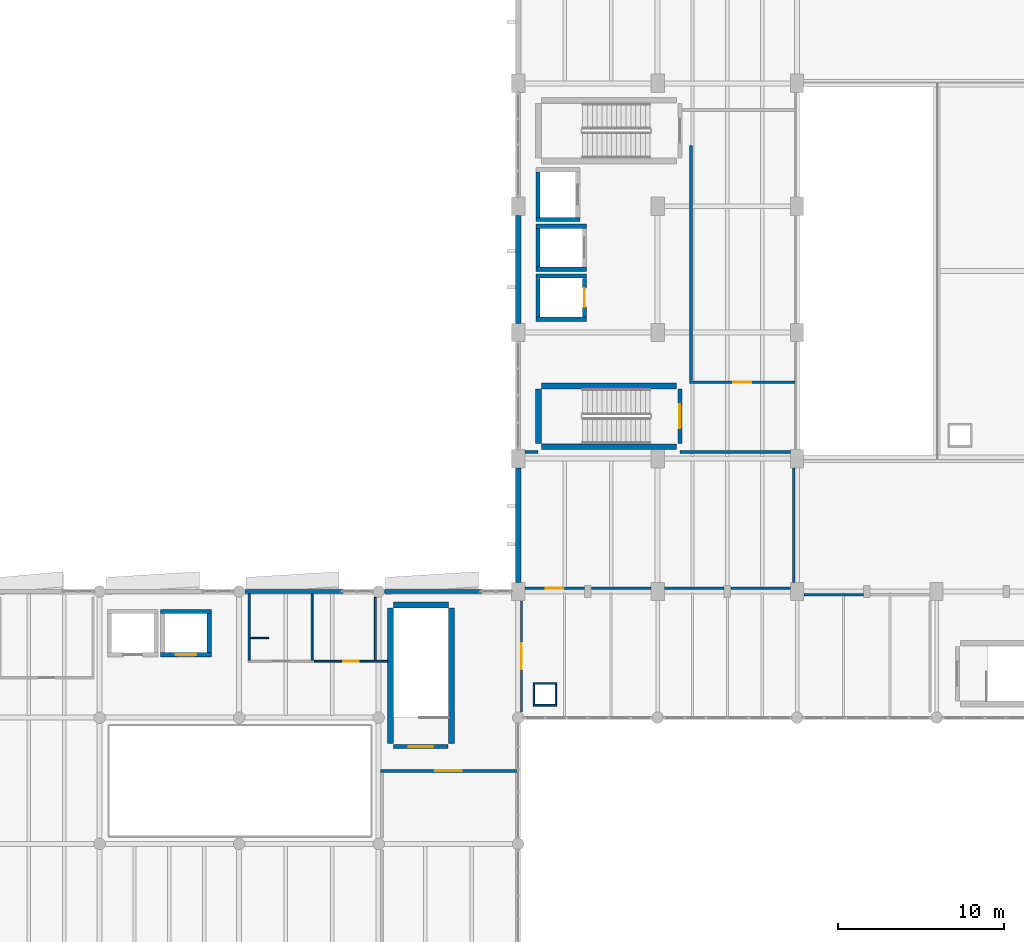
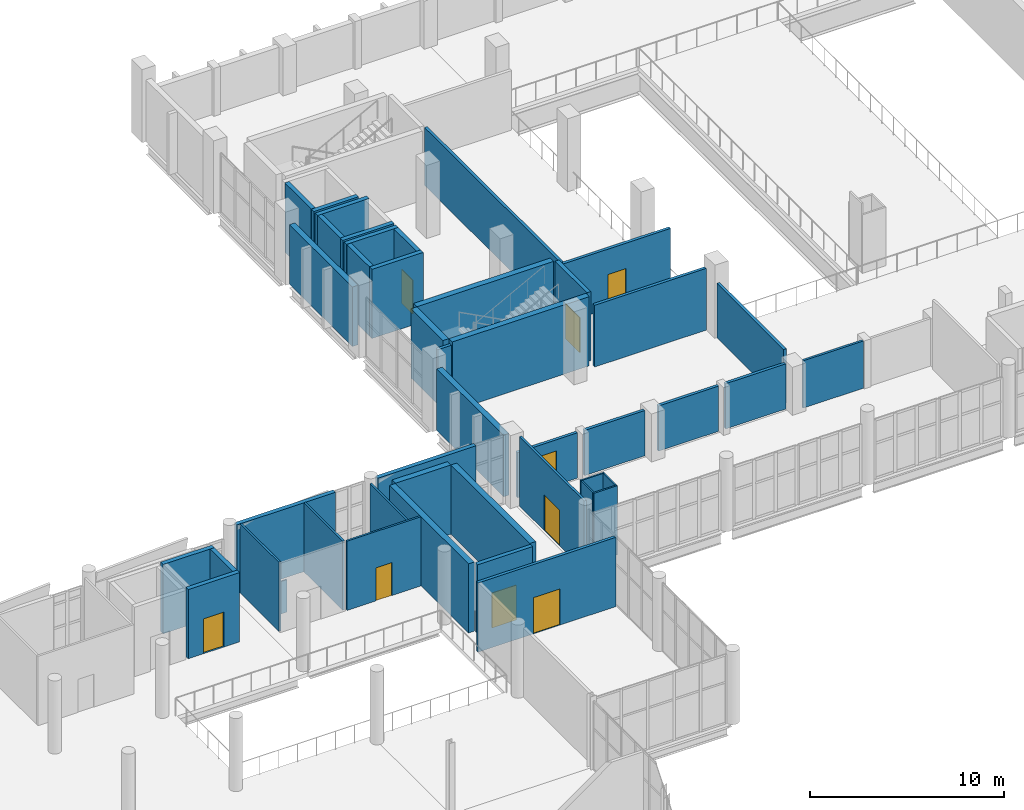
# One storey, part 60 of 74: 45 walls, 9 doors, 9 openings.
"""IFC4 building model written with IfcOpenShell, lengths in metres."""

from ifc_helpers import new_model, si_unit, direction, frame, frame_2d, origin, place, context, subcontext, project, spatial, rectangle, extrude, material, layer, layer_set, type_object, element, fill, save


model = new_model("IFC4")

# Units and contexts
model_context = context("Model", 3, precision=1e-05, world=origin(), true_north=direction((0.0, 1.0)))
body_context = subcontext(model_context, "Body", "Model", "MODEL_VIEW")
ifc_project = project(units=[si_unit("LENGTHUNIT", "METRE"), si_unit("AREAUNIT", "SQUARE_METRE"), si_unit("VOLUMEUNIT", "CUBIC_METRE"), si_unit("PLANEANGLEUNIT", "RADIAN"), si_unit("MASSUNIT", "GRAM", prefix="KILO")], contexts=[model_context])

# Site, building, storey
site_placement = place(None, origin())
site = spatial("IfcSite", under=ifc_project, at=site_placement, CompositionType="ELEMENT")
building_placement = place(site_placement, origin())
building = spatial("IfcBuilding", under=site, at=building_placement, Name="Shengluoqiao Park Theatre", CompositionType="ELEMENT")
storey_placement = place(building_placement, frame((0.0, 0.0, 14.60009765625)))
storey = spatial("IfcBuildingStorey", under=building, at=storey_placement, Name="L03", CompositionType="ELEMENT", Elevation=14.60009765625)

# Walls
ifc_material_1 = material(Name="Concrete C45", Category="concrete")
ifc_layer_1 = layer(ifc_material_1, 0.330078125, Name="Concrete C45")
ifc_layer_set_1 = layer_set([ifc_layer_1], Name="Concrete C45")
wall_type_1 = type_object("IfcWallType", Name="ENV-WL-CONC330", PredefinedType="STANDARD", material=ifc_layer_set_1)
wall_1_placement = place(storey_placement, frame((44.39990234375, 76.553955078125, 0.0), z_axis=(0.0, 0.0, 1.0), x_axis=(0.0, 1.0, 0.0)))
element("IfcWall", 1, at=wall_1_placement, inside=storey, type_object=wall_type_1, Name="L03 Exterior Wall 0050", PredefinedType="STANDARD", context=body_context, shape_type="SweptSolid", body=[
    extrude(rectangle(XDim=6.89208984375, YDim=0.330078125, at=frame_2d((3.446044921875, 0.0))), origin(), (0.0, 0.0, 1.0), 3.8779296875),
])
wall_2_placement = place(storey_placement, frame((44.39990234375, 92.154052734375, 0.0), z_axis=(0.0, 0.0, 1.0), x_axis=(0.0, 1.0, 0.0)))
element("IfcWall", 2, at=wall_2_placement, inside=storey, type_object=wall_type_1, Name="L03 Exterior Wall 0051", PredefinedType="STANDARD", context=body_context, shape_type="SweptSolid", body=[
    extrude(rectangle(XDim=6.491943359375, YDim=0.330078125, at=frame_2d((3.24609375, 0.0))), origin(), (0.0, 0.0, 1.0), 3.75),
])
ifc_material_2 = material(Name="Precast concrete C45", Category="concrete")
ifc_layer_2 = layer(ifc_material_2, 0.25, Name="Precast concrete C45")
ifc_layer_set_2 = layer_set([ifc_layer_2], Name="Precast concrete C45")
wall_type_2 = type_object("IfcWallType", Name="ENV-WL-CRYS250", PredefinedType="STANDARD", material=ifc_layer_set_2)
wall_3_placement = place(storey_placement, frame((27.9541015625, 76.0, 0.0), z_axis=(0.0, 0.0, 1.0), x_axis=(1.0, 0.0, 0.0)))
element("IfcWall", 3, at=wall_3_placement, inside=storey, type_object=wall_type_2, Name="L03 Exterior Wall 0129", PredefinedType="STANDARD", context=body_context, shape_type="SweptSolid", body=[
    extrude(rectangle(XDim=5.891845703125, YDim=0.25, at=frame_2d((2.94580078125, 0.0))), origin(), (0.0, 0.0, 1.0), 4.33984375),
])
wall_4_placement = place(storey_placement, frame((36.35400390625, 76.0, 0.0), z_axis=(0.0, 0.0, 1.0), x_axis=(1.0, 0.0, 0.0)))
element("IfcWall", 4, at=wall_4_placement, inside=storey, type_object=wall_type_2, Name="L03 Exterior Wall 0130", PredefinedType="STANDARD", context=body_context, shape_type="SweptSolid", body=[
    extrude(rectangle(XDim=5.842041015625, YDim=0.25, at=frame_2d((2.9208984375, 0.0))), origin(), (0.0, 0.0, 1.0), 4.33984375),
])

# Wall, opening, door
ifc_material_3 = material(Name="Gypsum acoustic stud", Category="gypsum")
ifc_layer_3 = layer(ifc_material_3, 0.175048828125, Name="Gypsum acoustic stud")
ifc_layer_set_3 = layer_set([ifc_layer_3], Name="Gypsum acoustic stud")
wall_type_3 = type_object("IfcWallType", Name="INT-WL-COR175", PredefinedType="PARTITIONING", material=ifc_layer_set_3)
wall_5_placement = place(storey_placement, frame((54.71240234375, 88.60009765625, 0.0), z_axis=(0.0, 0.0, 1.0), x_axis=(1.0, 0.0, 0.0)))
wall_5 = element("IfcWall", 5, at=wall_5_placement, inside=storey, type_object=wall_type_3, Name="Auditorium Lighting and Projection Suite Partition S", PredefinedType="PARTITIONING", context=body_context, shape_type="SweptSolid", body=[
    extrude(rectangle(XDim=6.375, YDim=0.175048828125, at=frame_2d((3.1875, 0.0))), origin(), (0.0, 0.0, 1.0), 3.75),
])
opening_1_placement = place(wall_5_placement, frame((2.657470703125, 0.0, 0.0)))
opening_1 = element("IfcOpeningElement", 6, at=opening_1_placement, cuts=wall_5, Name="Opening D-L03-083", PredefinedType="OPENING", context=body_context, shape_type="SweptSolid", body=[
    extrude(rectangle(XDim=1.06005859375, YDim=2.14990234375, at=frame_2d((0.530029296875, 1.074951171875))), frame((0.0, 0.097412109375, 0.0), z_axis=(0.0, -1.0, 0.0), x_axis=(1.0, 0.0, 0.0)), (0.0, 0.0, 1.0), 0.195068359375),
])
ifc_material_4 = material(Name="Acoustic timber", Category="wood")
door_type_1 = type_object("IfcDoorType", Name="INT-DR-SNG106", OperationType="NOTDEFINED", PredefinedType="DOOR", material=ifc_material_4)
door_1_placement = place(opening_1_placement, origin())
door_1 = element("IfcDoor", 7, at=door_1_placement, inside=storey, type_object=door_type_1, Name="Auditorium Lighting and Projection Suite Door D-L03-083", OperationType="SINGLE_SWING_LEFT", OverallHeight=2.14990234375, OverallWidth=1.06005859375, PredefinedType="DOOR", context=body_context, shape_type="SweptSolid", body=[
    extrude(rectangle(XDim=1.06005859375, YDim=2.14990234375, at=frame_2d((0.530029296875, 1.074951171875))), frame((0.0, 0.02490234375, 0.0), z_axis=(0.0, -1.0, 0.0), x_axis=(1.0, 0.0, 0.0)), (0.0, 0.0, 1.0), 0.050048828125),
])
fill(opening_1, door_1)

# Wall
wall_6_placement = place(storey_placement, frame((54.800048828125, 88.693603515625, 0.0), z_axis=(0.0, 0.0, 1.0), x_axis=(0.0, 1.0, 0.0)))
element("IfcWall", 8, at=wall_6_placement, inside=storey, type_object=wall_type_3, Name="Auditorium Lighting and Projection Suite Partition W", PredefinedType="PARTITIONING", context=body_context, shape_type="SweptSolid", body=[
    extrude(rectangle(XDim=14.17138671875, YDim=0.175048828125, at=frame_2d((7.085693359375, 0.0))), origin(), (0.0, 0.0, 1.0), 3.637939453125),
])

# Wall, opening, door
wall_7_placement = place(storey_placement, frame((44.80810546875, 76.199951171875, 0.0), z_axis=(0.0, 0.0, 1.0), x_axis=(1.0, 0.0, 0.0)))
wall_7 = element("IfcWall", 9, at=wall_7_placement, inside=storey, type_object=wall_type_3, Name="Auditorium Broadcast and Dubbing Suite Partition S", PredefinedType="PARTITIONING", context=body_context, shape_type="SweptSolid", body=[
    extrude(rectangle(XDim=3.5859375, YDim=0.175048828125, at=frame_2d((1.79296875, 0.0))), origin(), (0.0, 0.0, 1.0), 2.847900390625),
])
opening_2_placement = place(wall_7_placement, frame((1.262939453125, 0.0, 0.0)))
opening_2 = element("IfcOpeningElement", 10, at=opening_2_placement, cuts=wall_7, Name="Opening D-L03-084", PredefinedType="OPENING", context=body_context, shape_type="SweptSolid", body=[
    extrude(rectangle(XDim=1.06005859375, YDim=2.14990234375, at=frame_2d((0.530029296875, 1.074951171875))), frame((0.0, 0.097412109375, 0.0), z_axis=(0.0, -1.0, 0.0), x_axis=(1.0, 0.0, 0.0)), (0.0, 0.0, 1.0), 0.195068359375),
])
door_2_placement = place(opening_2_placement, origin())
door_2 = element("IfcDoor", 11, at=door_2_placement, inside=storey, type_object=door_type_1, Name="Auditorium Broadcast and Dubbing Suite Door D-L03-084", OperationType="SINGLE_SWING_RIGHT", OverallHeight=2.14990234375, OverallWidth=1.06005859375, PredefinedType="DOOR", context=body_context, shape_type="SweptSolid", body=[
    extrude(rectangle(XDim=1.06005859375, YDim=2.14990234375, at=frame_2d((0.530029296875, 1.074951171875))), frame((0.0, 0.02490234375, 0.0), z_axis=(0.0, -1.0, 0.0), x_axis=(1.0, 0.0, 0.0)), (0.0, 0.0, 1.0), 0.050048828125),
])
fill(opening_2, door_2)

# Walls
wall_8_placement = place(storey_placement, frame((48.805908203125, 76.199951171875, 0.0), z_axis=(0.0, 0.0, 1.0), x_axis=(1.0, 0.0, 0.0)))
element("IfcWall", 12, at=wall_8_placement, inside=storey, type_object=wall_type_3, Name="Auditorium Broadcast and Dubbing Suite Partition S", PredefinedType="PARTITIONING", context=body_context, shape_type="SweptSolid", body=[
    extrude(rectangle(XDim=3.588134765625, YDim=0.175048828125, at=frame_2d((1.7939453125, 0.0))), origin(), (0.0, 0.0, 1.0), 2.847900390625),
])
wall_9_placement = place(storey_placement, frame((53.2060546875, 76.199951171875, 0.0), z_axis=(0.0, 0.0, 1.0), x_axis=(1.0, 0.0, 0.0)))
element("IfcWall", 13, at=wall_9_placement, inside=storey, type_object=wall_type_3, Name="Auditorium Broadcast and Dubbing Suite Partition S", PredefinedType="PARTITIONING", context=body_context, shape_type="SweptSolid", body=[
    extrude(rectangle(XDim=3.587890625, YDim=0.175048828125, at=frame_2d((1.7939453125, 0.0))), origin(), (0.0, 0.0, 1.0), 2.847900390625),
])
wall_10_placement = place(storey_placement, frame((44.80810546875, 84.39990234375, 0.0), z_axis=(0.0, 0.0, 1.0), x_axis=(1.0, 0.0, 0.0)))
element("IfcWall", 14, at=wall_10_placement, inside=storey, type_object=wall_type_3, Name="Auditorium Broadcast and Dubbing Suite Partition N", PredefinedType="PARTITIONING", context=body_context, shape_type="SweptSolid", body=[
    extrude(rectangle(XDim=0.796875, YDim=0.175048828125, at=frame_2d((0.3984375, 0.0))), origin(), (0.0, 0.0, 1.0), 4.35986328125),
])
wall_11_placement = place(storey_placement, frame((57.2060546875, 76.199951171875, 0.0), z_axis=(0.0, 0.0, 1.0), x_axis=(1.0, 0.0, 0.0)))
element("IfcWall", 15, at=wall_11_placement, inside=storey, type_object=wall_type_3, Name="Auditorium Broadcast and Dubbing Suite Partition S", PredefinedType="PARTITIONING", context=body_context, shape_type="SweptSolid", body=[
    extrude(rectangle(XDim=3.5859375, YDim=0.175048828125, at=frame_2d((1.79296875, 0.0))), origin(), (0.0, 0.0, 1.0), 2.847900390625),
])
wall_12_placement = place(storey_placement, frame((54.14501953125, 84.39990234375, 0.0), z_axis=(0.0, 0.0, 1.0), x_axis=(1.0, 0.0, 0.0)))
element("IfcWall", 16, at=wall_12_placement, inside=storey, type_object=wall_type_3, Name="Auditorium Broadcast and Dubbing Suite Partition N", PredefinedType="PARTITIONING", context=body_context, shape_type="SweptSolid", body=[
    extrude(rectangle(XDim=6.64697265625, YDim=0.175048828125, at=frame_2d((3.323486328125, 0.0))), origin(), (0.0, 0.0, 1.0), 3.887939453125),
])
wall_13_placement = place(storey_placement, frame((61.0, 76.555908203125, 0.0), z_axis=(0.0, 0.0, 1.0), x_axis=(0.0, 1.0, 0.0)))
element("IfcWall", 17, at=wall_13_placement, inside=storey, type_object=wall_type_3, Name="Auditorium Broadcast and Dubbing Suite Partition E", PredefinedType="PARTITIONING", context=body_context, shape_type="SweptSolid", body=[
    extrude(rectangle(XDim=6.88818359375, YDim=0.175048828125, at=frame_2d((3.444091796875, 0.0))), origin(), (0.0, 0.0, 1.0), 3.432861328125),
])

# Wall, opening, door
wall_14_placement = place(storey_placement, frame((36.112548828125, 65.199951171875, 0.0), z_axis=(0.0, 0.0, 1.0), x_axis=(1.0, 0.0, 0.0)))
wall_14 = element("IfcWall", 18, at=wall_14_placement, inside=storey, type_object=wall_type_3, Name="Sky Atrium East Reception Salon Partition N", PredefinedType="PARTITIONING", context=body_context, shape_type="SweptSolid", body=[
    extrude(rectangle(XDim=8.199462890625, YDim=0.175048828125, at=frame_2d((4.099609375, 0.0))), origin(), (0.0, 0.0, 1.0), 4.35986328125),
])
opening_3_placement = place(wall_14_placement, frame((3.309814453125, 0.0, 0.0)))
opening_3 = element("IfcOpeningElement", 19, at=opening_3_placement, cuts=wall_14, Name="Opening D-L03-087", PredefinedType="OPENING", context=body_context, shape_type="SweptSolid", body=[
    extrude(rectangle(XDim=1.580078125, YDim=2.280029296875, at=frame_2d((0.7900390625, 1.14013671875))), frame((0.0, 0.097412109375, 0.0), z_axis=(0.0, -1.0, 0.0), x_axis=(1.0, 0.0, 0.0)), (0.0, 0.0, 1.0), 0.195068359375),
])
ifc_material_5 = material(Name="Aluminium 6063-T6", Category="aluminium")
door_type_2 = type_object("IfcDoorType", Name="INT-DR-FOY158", OperationType="DOUBLE_DOOR_SINGLE_SWING", PredefinedType="DOOR", material=ifc_material_5)
door_3_placement = place(opening_3_placement, origin())
door_3 = element("IfcDoor", 20, at=door_3_placement, inside=storey, type_object=door_type_2, Name="Sky Atrium East Reception Salon Door D-L03-087", OperationType="DOUBLE_DOOR_SINGLE_SWING", OverallHeight=2.280029296875, OverallWidth=1.580078125, PredefinedType="DOOR", context=body_context, shape_type="SweptSolid", body=[
    extrude(rectangle(XDim=1.580078125, YDim=2.280029296875, at=frame_2d((0.7900390625, 1.14013671875))), frame((0.0, 0.02490234375, 0.0), z_axis=(0.0, -1.0, 0.0), x_axis=(1.0, 0.0, 0.0)), (0.0, 0.0, 1.0), 0.050048828125),
])
fill(opening_3, door_3)

# Walls
ifc_material_6 = material(Name="Compact laminate")
ifc_layer_4 = layer(ifc_material_6, 0.074951171875, Name="Compact laminate")
ifc_layer_set_4 = layer_set([ifc_layer_4], Name="Compact laminate")
wall_type_4 = type_object("IfcWallType", Name="INT-WL-CUB075", PredefinedType="PARTITIONING", material=ifc_layer_set_4)
wall_15_placement = place(storey_placement, frame((28.27001953125, 73.199951171875, 0.0), z_axis=(0.0, 0.0, 1.0), x_axis=(1.0, 0.0, 0.0)))
element("IfcWall", 21, at=wall_15_placement, inside=storey, type_object=wall_type_4, Name="L03 WC Cubicle Partition 06", PredefinedType="PARTITIONING", context=body_context, shape_type="SweptSolid", body=[
    extrude(rectangle(XDim=1.10009765625, YDim=0.074951171875, at=frame_2d((0.550048828125, 0.0))), origin(), (0.0, 0.0, 1.0), 2.0498046875),
])
ifc_material_7 = material(Name="Gypsum shaftwall", Category="gypsum")
ifc_layer_5 = layer(ifc_material_7, 0.094970703125, Name="Gypsum shaftwall")
ifc_layer_set_5 = layer_set([ifc_layer_5], Name="Gypsum shaftwall")
wall_type_5 = type_object("IfcWallType", Name="INT-WL-RSR095", PredefinedType="PARTITIONING", material=ifc_layer_set_5)
for number, where, z_axis, x_axis, name in (
    (22, (45.304931640625, 69.14990234375, 0.0), (0.0, 0.0, 1.0), (1.0, 0.0, 0.0), "L03 Service Riser Shaftwall 161"),
    (23, (45.304931640625, 70.469970703125, 0.0), (0.0, 0.0, 1.0), (1.0, 0.0, 0.0), "L03 Service Riser Shaftwall 162"),
):
    element("IfcWall", number, at=place(storey_placement, frame(where, z_axis=z_axis, x_axis=x_axis)), inside=storey, type_object=wall_type_5, Name=name, PredefinedType="PARTITIONING", context=body_context, shape_type="SweptSolid", body=[
        extrude(rectangle(XDim=1.41015625, YDim=0.094970703125, at=frame_2d((0.705078125, 0.0))), origin(), (0.0, 0.0, 1.0), 4.35986328125),
    ])
for number, where, z_axis, x_axis, name in (
    (24, (45.35009765625, 69.205078125, 0.0), (0.0, 0.0, 1.0), (0.0, 1.0, 0.0), "L03 Service Riser Shaftwall 163"),
    (25, (46.669921875, 69.205078125, 0.0), (0.0, 0.0, 1.0), (0.0, 1.0, 0.0), "L03 Service Riser Shaftwall 164"),
):
    element("IfcWall", number, at=place(storey_placement, frame(where, z_axis=z_axis, x_axis=x_axis)), inside=storey, type_object=wall_type_5, Name=name, PredefinedType="PARTITIONING", context=body_context, shape_type="SweptSolid", body=[
        extrude(rectangle(XDim=1.2099609375, YDim=0.094970703125, at=frame_2d((0.60498046875, 0.0))), origin(), (0.0, 0.0, 1.0), 4.35986328125),
    ])

# Wall, opening, door
ifc_material_8 = material(Name="Concrete C40", Category="concrete")
ifc_layer_6 = layer(ifc_material_8, 0.260009765625, Name="Concrete C40")
ifc_layer_set_6 = layer_set([ifc_layer_6], Name="Concrete C40")
wall_type_6 = type_object("IfcWallType", Name="INT-WL-SHF260", PredefinedType="STANDARD", material=ifc_layer_set_6)
wall_16_placement = place(storey_placement, frame((22.8701171875, 72.199951171875, 0.0), z_axis=(0.0, 0.0, 1.0), x_axis=(1.0, 0.0, 0.0)))
wall_16 = element("IfcWall", 26, at=wall_16_placement, inside=storey, type_object=wall_type_6, Name="L03 PL2 Lift Shaft Wall South", PredefinedType="STANDARD", context=body_context, shape_type="SweptSolid", body=[
    extrude(rectangle(XDim=3.059814453125, YDim=0.260009765625, at=frame_2d((1.52978515625, 0.0))), origin(), (0.0, 0.0, 1.0), 4.35986328125),
])
opening_4_placement = place(wall_16_placement, frame((0.919921875, 0.0, 0.0)))
opening_4 = element("IfcOpeningElement", 27, at=opening_4_placement, cuts=wall_16, Name="Opening LD-PL2-L03", PredefinedType="OPENING", context=body_context, shape_type="SweptSolid", body=[
    extrude(rectangle(XDim=1.219970703125, YDim=2.199951171875, at=frame_2d((0.60986328125, 1.10009765625))), frame((0.0, 0.139892578125, 0.0), z_axis=(0.0, -1.0, 0.0), x_axis=(1.0, 0.0, 0.0)), (0.0, 0.0, 1.0), 0.280029296875),
])
ifc_material_9 = material(Name="Stainless steel 304", Category="steel")
door_type_3 = type_object("IfcDoorType", Name="INT-DR-LD122", OperationType="SLIDING_TO_RIGHT", PredefinedType="DOOR", material=ifc_material_9)
door_4_placement = place(opening_4_placement, origin())
door_4 = element("IfcDoor", 28, at=door_4_placement, inside=storey, type_object=door_type_3, Name="PL2 Lift Landing Door LD-PL2-L03", OperationType="SLIDING_TO_RIGHT", OverallHeight=2.199951171875, OverallWidth=1.219970703125, PredefinedType="DOOR", context=body_context, shape_type="SweptSolid", body=[
    extrude(rectangle(XDim=1.219970703125, YDim=2.199951171875, at=frame_2d((0.60986328125, 1.10009765625))), frame((0.0, 0.02490234375, 0.0), z_axis=(0.0, -1.0, 0.0), x_axis=(1.0, 0.0, 0.0)), (0.0, 0.0, 1.0), 0.050048828125),
])
fill(opening_4, door_4)

# Walls
wall_17_placement = place(storey_placement, frame((22.8701171875, 74.800048828125, 0.0), z_axis=(0.0, 0.0, 1.0), x_axis=(1.0, 0.0, 0.0)))
element("IfcWall", 29, at=wall_17_placement, inside=storey, type_object=wall_type_6, Name="L03 PL2 Lift Shaft Wall North", PredefinedType="STANDARD", context=body_context, shape_type="SweptSolid", body=[
    extrude(rectangle(XDim=3.059814453125, YDim=0.260009765625, at=frame_2d((1.52978515625, 0.0))), origin(), (0.0, 0.0, 1.0), 4.35986328125),
])
wall_18_placement = place(storey_placement, frame((25.800048828125, 72.3359375, 0.0), z_axis=(0.0, 0.0, 1.0), x_axis=(0.0, 1.0, 0.0)))
element("IfcWall", 30, at=wall_18_placement, inside=storey, type_object=wall_type_6, Name="L03 PL2 Lift Shaft Wall East", PredefinedType="STANDARD", context=body_context, shape_type="SweptSolid", body=[
    extrude(rectangle(XDim=2.328125, YDim=0.260009765625, at=frame_2d((1.1640625, 0.0))), origin(), (0.0, 0.0, 1.0), 4.35986328125),
])
for number, where, z_axis, x_axis, name in (
    (31, (45.469970703125, 92.39990234375, 0.0), (0.0, 0.0, 1.0), (1.0, 0.0, 0.0), "L03 PL3 Lift Shaft Wall South"),
    (32, (45.469970703125, 95.0, 0.0), (0.0, 0.0, 1.0), (1.0, 0.0, 0.0), "L03 PL3 Lift Shaft Wall North"),
):
    element("IfcWall", number, at=place(storey_placement, frame(where, z_axis=z_axis, x_axis=x_axis)), inside=storey, type_object=wall_type_6, Name=name, PredefinedType="STANDARD", context=body_context, shape_type="SweptSolid", body=[
        extrude(rectangle(XDim=3.06005859375, YDim=0.260009765625, at=frame_2d((1.530029296875, 0.0))), origin(), (0.0, 0.0, 1.0), 4.35986328125),
    ])
wall_19_placement = place(storey_placement, frame((45.60009765625, 92.535888671875, 0.0), z_axis=(0.0, 0.0, 1.0), x_axis=(0.0, 1.0, 0.0)))
element("IfcWall", 33, at=wall_19_placement, inside=storey, type_object=wall_type_6, Name="L03 PL3 Lift Shaft Wall West", PredefinedType="STANDARD", context=body_context, shape_type="SweptSolid", body=[
    extrude(rectangle(XDim=2.328125, YDim=0.260009765625, at=frame_2d((1.1640625, 0.0))), origin(), (0.0, 0.0, 1.0), 4.35986328125),
])

# Wall, opening, door
wall_20_placement = place(storey_placement, frame((48.39990234375, 92.535888671875, 0.0), z_axis=(0.0, 0.0, 1.0), x_axis=(0.0, 1.0, 0.0)))
wall_20 = element("IfcWall", 34, at=wall_20_placement, inside=storey, type_object=wall_type_6, Name="L03 PL3 Lift Shaft Wall East", PredefinedType="STANDARD", context=body_context, shape_type="SweptSolid", body=[
    extrude(rectangle(XDim=2.328125, YDim=0.260009765625, at=frame_2d((1.1640625, 0.0))), origin(), (0.0, 0.0, 1.0), 4.35986328125),
])
opening_5_placement = place(wall_20_placement, frame((0.589111328125, 0.0, 0.0)))
opening_5 = element("IfcOpeningElement", 35, at=opening_5_placement, cuts=wall_20, Name="Opening LD-PL3-L03", PredefinedType="OPENING", context=body_context, shape_type="SweptSolid", body=[
    extrude(rectangle(XDim=1.14990234375, YDim=2.14990234375, at=frame_2d((0.574951171875, 1.074951171875))), frame((0.0, 0.139892578125, 0.0), z_axis=(0.0, -1.0, 0.0), x_axis=(1.0, 0.0, 0.0)), (0.0, 0.0, 1.0), 0.280029296875),
])
door_type_4 = type_object("IfcDoorType", Name="INT-DR-LD115", OperationType="SLIDING_TO_LEFT", PredefinedType="DOOR", material=ifc_material_9)
door_5_placement = place(opening_5_placement, origin())
door_5 = element("IfcDoor", 36, at=door_5_placement, inside=storey, type_object=door_type_4, Name="PL3 Lift Landing Door LD-PL3-L03", OperationType="SLIDING_TO_LEFT", OverallHeight=2.14990234375, OverallWidth=1.14990234375, PredefinedType="DOOR", context=body_context, shape_type="SweptSolid", body=[
    extrude(rectangle(XDim=1.14990234375, YDim=2.14990234375, at=frame_2d((0.574951171875, 1.074951171875))), frame((0.0, 0.02490234375, 0.0), z_axis=(0.0, -1.0, 0.0), x_axis=(1.0, 0.0, 0.0)), (0.0, 0.0, 1.0), 0.050048828125),
])
fill(opening_5, door_5)

# Walls
for number, where, z_axis, x_axis, name in (
    (37, (45.469970703125, 95.39990234375, 0.0), (0.0, 0.0, 1.0), (1.0, 0.0, 0.0), "L03 PL4 Lift Shaft Wall South"),
    (38, (45.469970703125, 98.0, 0.0), (0.0, 0.0, 1.0), (1.0, 0.0, 0.0), "L03 PL4 Lift Shaft Wall North"),
):
    element("IfcWall", number, at=place(storey_placement, frame(where, z_axis=z_axis, x_axis=x_axis)), inside=storey, type_object=wall_type_6, Name=name, PredefinedType="STANDARD", context=body_context, shape_type="SweptSolid", body=[
        extrude(rectangle(XDim=3.06005859375, YDim=0.260009765625, at=frame_2d((1.530029296875, 0.0))), origin(), (0.0, 0.0, 1.0), 4.35986328125),
    ])
wall_21_placement = place(storey_placement, frame((45.60009765625, 95.535888671875, 0.0), z_axis=(0.0, 0.0, 1.0), x_axis=(0.0, 1.0, 0.0)))
element("IfcWall", 39, at=wall_21_placement, inside=storey, type_object=wall_type_6, Name="L03 PL4 Lift Shaft Wall West", PredefinedType="STANDARD", context=body_context, shape_type="SweptSolid", body=[
    extrude(rectangle(XDim=2.328125, YDim=0.260009765625, at=frame_2d((1.1640625, 0.0))), origin(), (0.0, 0.0, 1.0), 4.35986328125),
])
wall_22_placement = place(storey_placement, frame((45.469970703125, 98.39990234375, 0.0), z_axis=(0.0, 0.0, 1.0), x_axis=(1.0, 0.0, 0.0)))
element("IfcWall", 40, at=wall_22_placement, inside=storey, type_object=wall_type_6, Name="L03 AL1 Lift Shaft Wall South", PredefinedType="STANDARD", context=body_context, shape_type="SweptSolid", body=[
    extrude(rectangle(XDim=2.659912109375, YDim=0.260009765625, at=frame_2d((1.330078125, 0.0))), origin(), (0.0, 0.0, 1.0), 4.35986328125),
])
wall_23_placement = place(storey_placement, frame((45.60009765625, 98.535888671875, 0.0), z_axis=(0.0, 0.0, 1.0), x_axis=(0.0, 1.0, 0.0)))
element("IfcWall", 41, at=wall_23_placement, inside=storey, type_object=wall_type_6, Name="L03 AL1 Lift Shaft Wall West", PredefinedType="STANDARD", context=body_context, shape_type="SweptSolid", body=[
    extrude(rectangle(XDim=2.72802734375, YDim=0.260009765625, at=frame_2d((1.364013671875, 0.0))), origin(), (0.0, 0.0, 1.0), 4.35986328125),
])
ifc_material_10 = material(Name="Gypsum board", Category="gypsum")
ifc_layer_7 = layer(ifc_material_10, 0.135009765625, Name="Gypsum board")
ifc_layer_set_7 = layer_set([ifc_layer_7], Name="Gypsum board")
wall_type_7 = type_object("IfcWallType", Name="INT-WL-STD135", PredefinedType="PARTITIONING", material=ifc_layer_set_7)
wall_24_placement = place(storey_placement, frame((61.60595703125, 75.800048828125, 0.0), z_axis=(0.0, 0.0, 1.0), x_axis=(1.0, 0.0, 0.0)))
element("IfcWall", 42, at=wall_24_placement, inside=storey, type_object=wall_type_7, Name="Patrons Sky Lounge and Dining Suite Partition N", PredefinedType="PARTITIONING", context=body_context, shape_type="SweptSolid", body=[
    extrude(rectangle(XDim=3.588134765625, YDim=0.135009765625, at=frame_2d((1.7939453125, 0.0))), origin(), (0.0, 0.0, 1.0), 2.977783203125),
])

# Wall, opening, door
wall_25_placement = place(storey_placement, frame((44.60009765625, 68.758056640625, 0.0), z_axis=(0.0, 0.0, 1.0), x_axis=(0.0, 1.0, 0.0)))
wall_25 = element("IfcWall", 43, at=wall_25_placement, inside=storey, type_object=wall_type_7, Name="Patrons Sky Lounge and Dining Suite Partition W", PredefinedType="PARTITIONING", context=body_context, shape_type="SweptSolid", body=[
    extrude(rectangle(XDim=6.68603515625, YDim=0.135009765625, at=frame_2d((3.343017578125, 0.0))), origin(), (0.0, 0.0, 1.0), 4.35986328125),
])
opening_6_placement = place(wall_25_placement, frame((2.56298828125, 0.0, 0.0)))
opening_6 = element("IfcOpeningElement", 44, at=opening_6_placement, cuts=wall_25, Name="Opening D-L03-088", PredefinedType="OPENING", context=body_context, shape_type="SweptSolid", body=[
    extrude(rectangle(XDim=1.56005859375, YDim=2.239990234375, at=frame_2d((0.780029296875, 1.1201171875))), frame((0.0, 0.077392578125, 0.0), z_axis=(0.0, -1.0, 0.0), x_axis=(1.0, 0.0, 0.0)), (0.0, 0.0, 1.0), 0.155029296875),
])
door_type_5 = type_object("IfcDoorType", Name="INT-DR-DIN156", OperationType="DOUBLE_DOOR_SINGLE_SWING", PredefinedType="DOOR", material=ifc_material_5)
door_6_placement = place(opening_6_placement, origin())
door_6 = element("IfcDoor", 45, at=door_6_placement, inside=storey, type_object=door_type_5, Name="Patrons Sky Lounge and Dining Suite Door D-L03-088", OperationType="DOUBLE_DOOR_SINGLE_SWING", OverallHeight=2.239990234375, OverallWidth=1.56005859375, PredefinedType="DOOR", context=body_context, shape_type="SweptSolid", body=[
    extrude(rectangle(XDim=1.56005859375, YDim=2.239990234375, at=frame_2d((0.780029296875, 1.1201171875))), frame((0.0, 0.02490234375, 0.0), z_axis=(0.0, -1.0, 0.0), x_axis=(1.0, 0.0, 0.0)), (0.0, 0.0, 1.0), 0.050048828125),
])
fill(opening_6, door_6)

ifc_layer_8 = layer(ifc_material_8, 0.239990234375, Name="Concrete C40")
ifc_layer_set_8 = layer_set([ifc_layer_8], Name="Concrete C40")
wall_type_8 = type_object("IfcWallType", Name="INT-WL-STW240", PredefinedType="STANDARD", material=ifc_layer_set_8)
wall_26_placement = place(storey_placement, frame((40.18994140625, 66.659912109375, 0.0), z_axis=(0.0, 0.0, 1.0), x_axis=(-1.0, 0.0, 0.0)))
wall_26 = element("IfcWall", 46, at=wall_26_placement, inside=storey, type_object=wall_type_8, Name="L03 ST-01 Stairwell Fire Wall", PredefinedType="STANDARD", context=body_context, shape_type="SweptSolid", body=[
    extrude(rectangle(XDim=3.280029296875, YDim=0.239990234375, at=frame_2d((1.64013671875, 0.0))), origin(), (0.0, 0.0, 1.0), 4.35986328125),
])
opening_7_placement = place(wall_26_placement, frame((0.9150390625, 0.0, 0.0)))
opening_7 = element("IfcOpeningElement", 47, at=opening_7_placement, cuts=wall_26, Name="Opening SD-01-L03", PredefinedType="OPENING", context=body_context, shape_type="SweptSolid", body=[
    extrude(rectangle(XDim=1.449951171875, YDim=2.199951171875, at=frame_2d((0.72509765625, 1.10009765625))), frame((0.0, 0.1298828125, 0.0), z_axis=(0.0, -1.0, 0.0), x_axis=(1.0, 0.0, 0.0)), (0.0, 0.0, 1.0), 0.260009765625),
])
ifc_material_11 = material(Name="Steel Q355", Category="steel")
door_type_6 = type_object("IfcDoorType", Name="INT-DR-STW145", OperationType="DOUBLE_DOOR_SINGLE_SWING", PredefinedType="DOOR", material=ifc_material_11)
door_7_placement = place(opening_7_placement, origin())
door_7 = element("IfcDoor", 48, at=door_7_placement, inside=storey, type_object=door_type_6, Name="L03 ST-01 Escape Stair Door SD-01-L03", OperationType="DOUBLE_DOOR_SINGLE_SWING", OverallHeight=2.199951171875, OverallWidth=1.449951171875, PredefinedType="DOOR", context=body_context, shape_type="SweptSolid", body=[
    extrude(rectangle(XDim=1.449951171875, YDim=2.199951171875, at=frame_2d((0.72509765625, 1.10009765625))), frame((0.0, 0.02490234375, 0.0), z_axis=(0.0, -1.0, 0.0), x_axis=(1.0, 0.0, 0.0)), (0.0, 0.0, 1.0), 0.050048828125),
])
fill(opening_7, door_7)

wall_27_placement = place(storey_placement, frame((54.139892578125, 88.18994140625, 0.0), z_axis=(0.0, 0.0, 1.0), x_axis=(0.0, -1.0, 0.0)))
wall_27 = element("IfcWall", 49, at=wall_27_placement, inside=storey, type_object=wall_type_8, Name="L03 ST-02 Stairwell Fire Wall", PredefinedType="STANDARD", context=body_context, shape_type="SweptSolid", body=[
    extrude(rectangle(XDim=3.280029296875, YDim=0.239990234375, at=frame_2d((1.64013671875, 0.0))), origin(), (0.0, 0.0, 1.0), 4.35986328125),
])
opening_8_placement = place(wall_27_placement, frame((0.9150390625, 0.0, 0.0)))
opening_8 = element("IfcOpeningElement", 50, at=opening_8_placement, cuts=wall_27, Name="Opening SD-02-L03", PredefinedType="OPENING", context=body_context, shape_type="SweptSolid", body=[
    extrude(rectangle(XDim=1.449951171875, YDim=2.199951171875, at=frame_2d((0.72509765625, 1.10009765625))), frame((0.0, 0.1298828125, 0.0), z_axis=(0.0, -1.0, 0.0), x_axis=(1.0, 0.0, 0.0)), (0.0, 0.0, 1.0), 0.260009765625),
])
door_8_placement = place(opening_8_placement, origin())
door_8 = element("IfcDoor", 51, at=door_8_placement, inside=storey, type_object=door_type_6, Name="L03 ST-02 Escape Stair Door SD-02-L03", OperationType="DOUBLE_DOOR_SINGLE_SWING", OverallHeight=2.199951171875, OverallWidth=1.449951171875, PredefinedType="DOOR", context=body_context, shape_type="SweptSolid", body=[
    extrude(rectangle(XDim=1.449951171875, YDim=2.199951171875, at=frame_2d((0.72509765625, 1.10009765625))), frame((0.0, 0.02490234375, 0.0), z_axis=(0.0, -1.0, 0.0), x_axis=(1.0, 0.0, 0.0)), (0.0, 0.0, 1.0), 0.050048828125),
])
fill(opening_8, door_8)

# Walls
ifc_material_12 = material(Name="Moisture-resistant board")
ifc_layer_9 = layer(ifc_material_12, 0.114990234375, Name="Moisture-resistant board")
ifc_layer_set_9 = layer_set([ifc_layer_9], Name="Moisture-resistant board")
wall_type_9 = type_object("IfcWallType", Name="INT-WL-WCP115", PredefinedType="PARTITIONING", material=ifc_layer_set_9)
for number, where, z_axis, x_axis, name in (
    (52, (28.199951171875, 71.863525390625, 0.0), (0.0, 0.0, 1.0), (0.0, 1.0, 0.0), "Third Floor Public Male WC Partition W"),
    (53, (32.0, 71.863525390625, 0.0), (0.0, 0.0, 1.0), (0.0, 1.0, 0.0), "Third Floor Public Male WC Partition E"),
):
    element("IfcWall", number, at=place(storey_placement, frame(where, z_axis=z_axis, x_axis=x_axis)), inside=storey, type_object=wall_type_9, Name=name, PredefinedType="PARTITIONING", context=body_context, shape_type="SweptSolid", body=[
        extrude(rectangle(XDim=4.00341796875, YDim=0.114990234375, at=frame_2d((2.001708984375, 0.0))), origin(), (0.0, 0.0, 1.0), 4.35986328125),
    ])

# Wall, opening, door
wall_28_placement = place(storey_placement, frame((32.135009765625, 71.800048828125, 0.0), z_axis=(0.0, 0.0, 1.0), x_axis=(1.0, 0.0, 0.0)))
wall_28 = element("IfcWall", 54, at=wall_28_placement, inside=storey, type_object=wall_type_9, Name="Third Floor Accessible WC Partition S", PredefinedType="PARTITIONING", context=body_context, shape_type="SweptSolid", body=[
    extrude(rectangle(XDim=4.402099609375, YDim=0.114990234375, at=frame_2d((2.201171875, 0.0))), origin(), (0.0, 0.0, 1.0), 4.35986328125),
])
opening_9_placement = place(wall_28_placement, frame((1.720947265625, 0.0, 0.0)))
opening_9 = element("IfcOpeningElement", 55, at=opening_9_placement, cuts=wall_28, Name="Opening D-L03-077", PredefinedType="OPENING", context=body_context, shape_type="SweptSolid", body=[
    extrude(rectangle(XDim=0.9599609375, YDim=2.080078125, at=frame_2d((0.47998046875, 1.0400390625))), frame((0.0, 0.0673828125, 0.0), z_axis=(0.0, -1.0, 0.0), x_axis=(1.0, 0.0, 0.0)), (0.0, 0.0, 1.0), 0.135009765625),
])
ifc_material_13 = material(Name="Moisture-resistant laminate")
door_type_7 = type_object("IfcDoorType", Name="INT-DR-ACC096", OperationType="NOTDEFINED", PredefinedType="DOOR", material=ifc_material_13)
door_9_placement = place(opening_9_placement, origin())
door_9 = element("IfcDoor", 56, at=door_9_placement, inside=storey, type_object=door_type_7, Name="Third Floor Accessible WC Door D-L03-077", OperationType="SINGLE_SWING_LEFT", OverallHeight=2.080078125, OverallWidth=0.9599609375, PredefinedType="DOOR", context=body_context, shape_type="SweptSolid", body=[
    extrude(rectangle(XDim=0.9599609375, YDim=2.080078125, at=frame_2d((0.47998046875, 1.0400390625))), frame((0.0, 0.02490234375, 0.0), z_axis=(0.0, -1.0, 0.0), x_axis=(1.0, 0.0, 0.0)), (0.0, 0.0, 1.0), 0.050048828125),
])
fill(opening_9, door_9)

# Walls
wall_29_placement = place(storey_placement, frame((35.800048828125, 71.863525390625, 0.0), z_axis=(0.0, 0.0, 1.0), x_axis=(0.0, 1.0, 0.0)))
element("IfcWall", 57, at=wall_29_placement, inside=storey, type_object=wall_type_9, Name="Third Floor Accessible WC Partition E", PredefinedType="PARTITIONING", context=body_context, shape_type="SweptSolid", body=[
    extrude(rectangle(XDim=3.778564453125, YDim=0.114990234375, at=frame_2d((1.88916015625, 0.0))), origin(), (0.0, 0.0, 1.0), 4.35986328125),
])
ifc_material_14 = material(Name="Concrete C50", Category="concrete")
ifc_layer_10 = layer(ifc_material_14, 0.35009765625, Name="Concrete C50")
ifc_layer_set_10 = layer_set([ifc_layer_10], Name="Concrete C50")
wall_type_10 = type_object("IfcWallType", Name="STR-SW-CORE350", PredefinedType="SHEAR", material=ifc_layer_set_10)
wall_30_placement = place(storey_placement, frame((40.3798828125, 66.85009765625, 0.0), z_axis=(0.0, 0.0, 1.0), x_axis=(0.0, 1.0, 0.0)))
element("IfcWall", 58, at=wall_30_placement, inside=storey, type_object=wall_type_10, Name="L03 ST-01 Core Left Shear Wall 0034", PredefinedType="SHEAR", context=body_context, shape_type="SweptSolid", body=[
    extrude(rectangle(XDim=8.14990234375, YDim=0.35009765625, at=frame_2d((4.074951171875, 0.0))), origin(), (0.0, 0.0, 1.0), 4.35986328125),
])
wall_31_placement = place(storey_placement, frame((40.199951171875, 75.179931640625, 0.0), z_axis=(0.0, 0.0, 1.0), x_axis=(-1.0, 0.0, 0.0)))
element("IfcWall", 59, at=wall_31_placement, inside=storey, type_object=wall_type_10, Name="L03 ST-01 Core Far Shear Wall 0035", PredefinedType="SHEAR", context=body_context, shape_type="SweptSolid", body=[
    extrude(rectangle(XDim=3.300048828125, YDim=0.35009765625, at=frame_2d((1.64990234375, 0.0))), origin(), (0.0, 0.0, 1.0), 4.35986328125),
])
for number, where, z_axis, x_axis, name in (
    (60, (36.719970703125, 75.0, 0.0), (0.0, 0.0, 1.0), (0.0, -1.0, 0.0), "L03 ST-01 Core Right Shear Wall 0036"),
    (61, (53.949951171875, 88.3798828125, 0.0), (0.0, 0.0, 1.0), (-1.0, 0.0, 0.0), "L03 ST-02 Core Left Shear Wall 0049"),
):
    element("IfcWall", number, at=place(storey_placement, frame(where, z_axis=z_axis, x_axis=x_axis)), inside=storey, type_object=wall_type_10, Name=name, PredefinedType="SHEAR", context=body_context, shape_type="SweptSolid", body=[
        extrude(rectangle(XDim=8.14990234375, YDim=0.35009765625, at=frame_2d((4.074951171875, 0.0))), origin(), (0.0, 0.0, 1.0), 4.35986328125),
    ])
wall_32_placement = place(storey_placement, frame((45.6201171875, 88.199951171875, 0.0), z_axis=(0.0, 0.0, 1.0), x_axis=(0.0, -1.0, 0.0)))
element("IfcWall", 62, at=wall_32_placement, inside=storey, type_object=wall_type_10, Name="L03 ST-02 Core Far Shear Wall 0050", PredefinedType="SHEAR", context=body_context, shape_type="SweptSolid", body=[
    extrude(rectangle(XDim=3.300048828125, YDim=0.35009765625, at=frame_2d((1.64990234375, 0.0))), origin(), (0.0, 0.0, 1.0), 4.35986328125),
])
wall_33_placement = place(storey_placement, frame((45.800048828125, 84.719970703125, 0.0), z_axis=(0.0, 0.0, 1.0), x_axis=(1.0, 0.0, 0.0)))
element("IfcWall", 63, at=wall_33_placement, inside=storey, type_object=wall_type_10, Name="L03 ST-02 Core Right Shear Wall 0051", PredefinedType="SHEAR", context=body_context, shape_type="SweptSolid", body=[
    extrude(rectangle(XDim=8.14990234375, YDim=0.35009765625, at=frame_2d((4.074951171875, 0.0))), origin(), (0.0, 0.0, 1.0), 4.35986328125),
])

save(model, "model.ifc")
